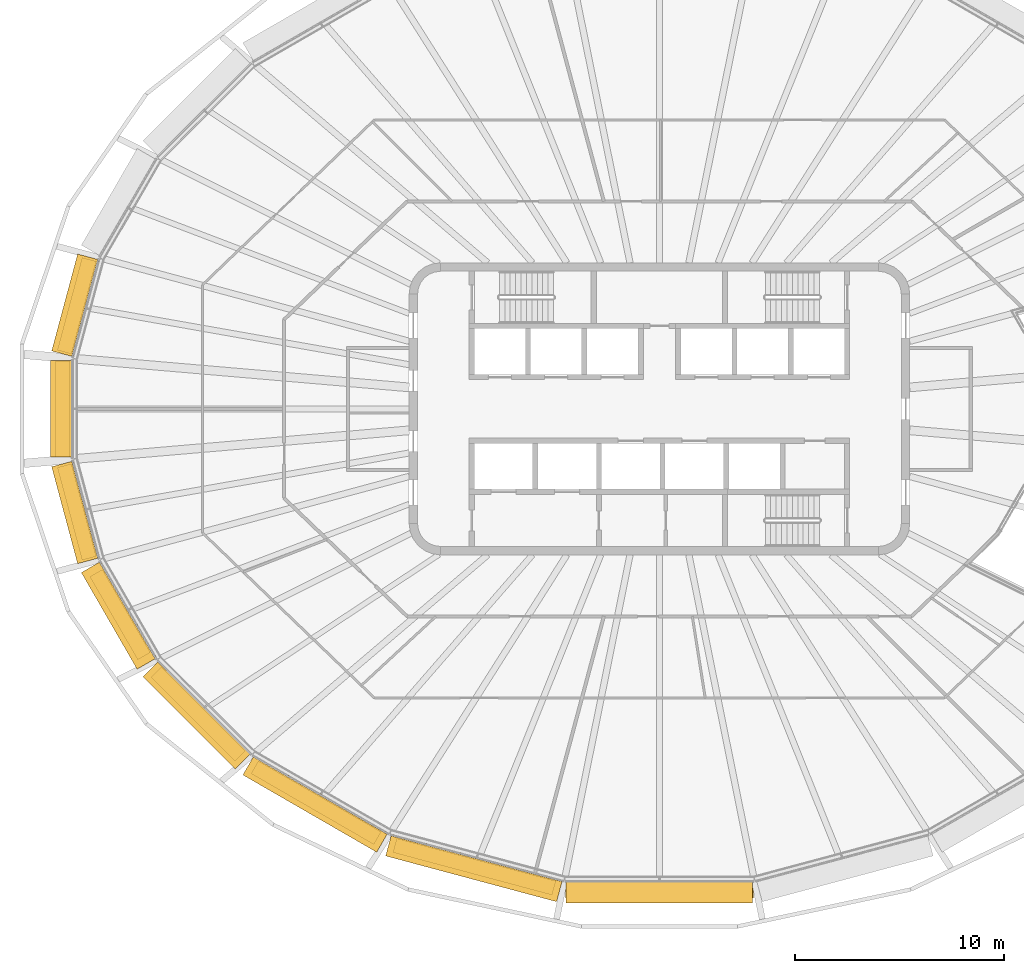
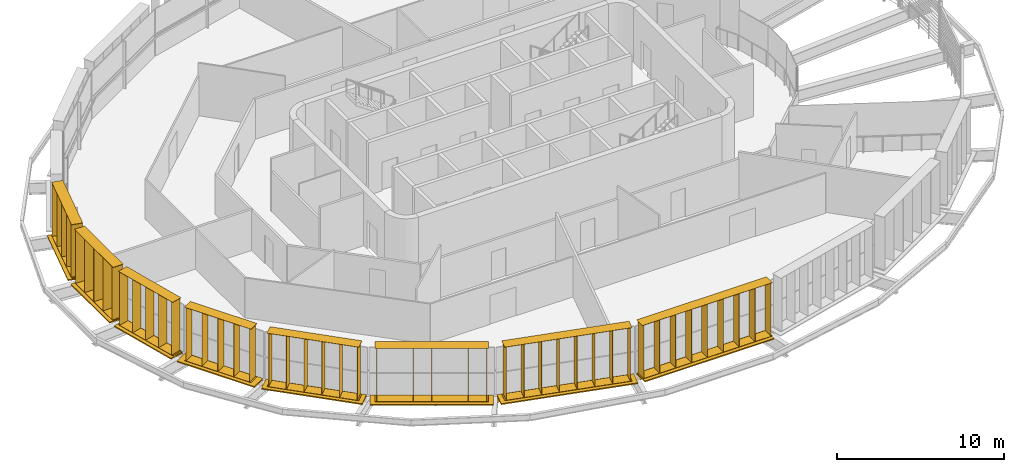
# One storey, part 13 of 17: 16 shading devices.
"""IFC4 building model written with IfcOpenShell, lengths in metres."""

from ifc_helpers import new_model, si_unit, direction, frame, origin, origin_2d, place, context, subcontext, project, spatial, rectangle, extrude, material, type_object, element, save


model = new_model("IFC4")

# Units and contexts
model_context = context("Model", 3, precision=1e-05, world=origin(), true_north=direction((0.0, 1.0)))
body_context = subcontext(model_context, "Body", "Model", "MODEL_VIEW")
ifc_project = project(units=[si_unit("LENGTHUNIT", "METRE"), si_unit("AREAUNIT", "SQUARE_METRE"), si_unit("VOLUMEUNIT", "CUBIC_METRE"), si_unit("PLANEANGLEUNIT", "RADIAN"), si_unit("MASSUNIT", "GRAM", prefix="KILO")], contexts=[model_context])

# Site, building, storey
site_placement = place(None, origin())
site = spatial("IfcSite", under=ifc_project, at=site_placement, CompositionType="ELEMENT")
building_placement = place(site_placement, origin())
building = spatial("IfcBuilding", under=site, at=building_placement, Name="Sahrelin Media Tower", CompositionType="ELEMENT")
storey_placement = place(building_placement, frame((0.0, 0.0, 291.0)))
storey = spatial("IfcBuildingStorey", under=building, at=storey_placement, Name="L64", CompositionType="ELEMENT", Elevation=291.0)

# Shading devices
ifc_material = material(Name="Champagne anodised aluminium 6063-T6", Category="aluminium")
shading_device_type_1 = type_object("IfcShadingDeviceType", Name="Fin cassette", PredefinedType="USERDEFINED", material=ifc_material)
placement_1 = place(storey_placement, frame((-27.531982421875, 4.835205078125, 0.0), z_axis=(0.0, 0.0, 1.0), x_axis=(0.258807731996, 0.965928857556, 0.0)))
element("IfcShadingDevice", 1, at=placement_1, inside=storey, type_object=shading_device_type_1, Name="L64:FIN:L64-11", ObjectType="FIN", PredefinedType="USERDEFINED", context=body_context, shape_type="SweptSolid", body=[
    extrude(rectangle(XDim=4.60009765625, YDim=0.699951171875, at=origin_2d()), frame((0.0, 0.419921875, 0.0)), (0.0, 0.0, 1.0), 0.02001953125),
    extrude(rectangle(XDim=4.60009765625, YDim=0.699951171875, at=origin_2d()), frame((0.0, 0.419921875, 3.89990234375)), (0.0, 0.0, 1.0), 0.02001953125),
    extrude(rectangle(XDim=0.02001953125, YDim=0.699951171875, at=origin_2d()), frame((-2.199951171875, 0.419921875, 0.010009765625), z_axis=(0.0, 0.0, 1.0), x_axis=(1.0, 0.0, 0.0)), (0.0, 0.0, 1.0), 3.89990234375),
    extrude(rectangle(XDim=0.02001953125, YDim=0.699951171875, at=origin_2d()), frame((-1.10009765625, 0.419921875, 0.010009765625), z_axis=(0.0, 0.0, 1.0), x_axis=(1.0, 0.0, 0.0)), (0.0, 0.0, 1.0), 3.89990234375),
    extrude(rectangle(XDim=0.02001953125, YDim=0.699951171875, at=origin_2d()), frame((0.0, 0.419921875, 0.010009765625), z_axis=(0.0, 0.0, 1.0), x_axis=(1.0, 0.0, 0.0)), (0.0, 0.0, 1.0), 3.89990234375),
    extrude(rectangle(XDim=0.02001953125, YDim=0.699951171875, at=origin_2d()), frame((1.10009765625, 0.419921875, 0.010009765625), z_axis=(0.0, 0.0, 1.0), x_axis=(1.0, 0.0, 0.0)), (0.0, 0.0, 1.0), 3.89990234375),
    extrude(rectangle(XDim=0.02001953125, YDim=0.699951171875, at=origin_2d()), frame((2.199951171875, 0.419921875, 0.010009765625), z_axis=(0.0, 0.0, 1.0), x_axis=(1.0, 0.0, 0.0)), (0.0, 0.0, 1.0), 3.89990234375),
])
placement_2 = place(storey_placement, frame((-28.18017578125, 0.0, 0.0), z_axis=(0.0, 0.0, 1.0), x_axis=(0.0, 1.0, 0.0)))
element("IfcShadingDevice", 2, at=placement_2, inside=storey, type_object=shading_device_type_1, Name="L64:FIN:L64-12", ObjectType="FIN", PredefinedType="USERDEFINED", context=body_context, shape_type="SweptSolid", body=[
    extrude(rectangle(XDim=4.60009765625, YDim=0.699951171875, at=origin_2d()), frame((0.0, 0.419921875, 0.0)), (0.0, 0.0, 1.0), 0.02001953125),
    extrude(rectangle(XDim=4.60009765625, YDim=0.699951171875, at=origin_2d()), frame((0.0, 0.419921875, 3.89990234375)), (0.0, 0.0, 1.0), 0.02001953125),
    extrude(rectangle(XDim=0.02001953125, YDim=0.699951171875, at=origin_2d()), frame((-2.199951171875, 0.419921875, 0.010009765625), z_axis=(0.0, 0.0, 1.0), x_axis=(1.0, 0.0, 0.0)), (0.0, 0.0, 1.0), 3.89990234375),
    extrude(rectangle(XDim=0.02001953125, YDim=0.699951171875, at=origin_2d()), frame((-1.10009765625, 0.419921875, 0.010009765625), z_axis=(0.0, 0.0, 1.0), x_axis=(1.0, 0.0, 0.0)), (0.0, 0.0, 1.0), 3.89990234375),
    extrude(rectangle(XDim=0.02001953125, YDim=0.699951171875, at=origin_2d()), frame((0.0, 0.419921875, 0.010009765625), z_axis=(0.0, 0.0, 1.0), x_axis=(1.0, 0.0, 0.0)), (0.0, 0.0, 1.0), 3.89990234375),
    extrude(rectangle(XDim=0.02001953125, YDim=0.699951171875, at=origin_2d()), frame((1.10009765625, 0.419921875, 0.010009765625), z_axis=(0.0, 0.0, 1.0), x_axis=(1.0, 0.0, 0.0)), (0.0, 0.0, 1.0), 3.89990234375),
    extrude(rectangle(XDim=0.02001953125, YDim=0.699951171875, at=origin_2d()), frame((2.199951171875, 0.419921875, 0.010009765625), z_axis=(0.0, 0.0, 1.0), x_axis=(1.0, 0.0, 0.0)), (0.0, 0.0, 1.0), 3.89990234375),
])
placement_3 = place(storey_placement, frame((-27.531982421875, -4.835205078125, 0.0), z_axis=(0.0, 0.0, 1.0), x_axis=(-0.258807731996, 0.965928857556, 0.0)))
element("IfcShadingDevice", 3, at=placement_3, inside=storey, type_object=shading_device_type_1, Name="L64:FIN:L64-13", ObjectType="FIN", PredefinedType="USERDEFINED", context=body_context, shape_type="SweptSolid", body=[
    extrude(rectangle(XDim=4.60009765625, YDim=0.699951171875, at=origin_2d()), frame((0.0, 0.419921875, 0.0)), (0.0, 0.0, 1.0), 0.02001953125),
    extrude(rectangle(XDim=4.60009765625, YDim=0.699951171875, at=origin_2d()), frame((0.0, 0.419921875, 3.89990234375)), (0.0, 0.0, 1.0), 0.02001953125),
    extrude(rectangle(XDim=0.02001953125, YDim=0.699951171875, at=origin_2d()), frame((-2.199951171875, 0.419921875, 0.010009765625), z_axis=(0.0, 0.0, 1.0), x_axis=(1.0, 0.0, 0.0)), (0.0, 0.0, 1.0), 3.89990234375),
    extrude(rectangle(XDim=0.02001953125, YDim=0.699951171875, at=origin_2d()), frame((-1.10009765625, 0.419921875, 0.010009765625), z_axis=(0.0, 0.0, 1.0), x_axis=(1.0, 0.0, 0.0)), (0.0, 0.0, 1.0), 3.89990234375),
    extrude(rectangle(XDim=0.02001953125, YDim=0.699951171875, at=origin_2d()), frame((0.0, 0.419921875, 0.010009765625), z_axis=(0.0, 0.0, 1.0), x_axis=(1.0, 0.0, 0.0)), (0.0, 0.0, 1.0), 3.89990234375),
    extrude(rectangle(XDim=0.02001953125, YDim=0.699951171875, at=origin_2d()), frame((1.10009765625, 0.419921875, 0.010009765625), z_axis=(0.0, 0.0, 1.0), x_axis=(1.0, 0.0, 0.0)), (0.0, 0.0, 1.0), 3.89990234375),
    extrude(rectangle(XDim=0.02001953125, YDim=0.699951171875, at=origin_2d()), frame((2.199951171875, 0.419921875, 0.010009765625), z_axis=(0.0, 0.0, 1.0), x_axis=(1.0, 0.0, 0.0)), (0.0, 0.0, 1.0), 3.89990234375),
])
placement_4 = place(storey_placement, frame((-25.496826171875, -9.656494140625, 0.0), z_axis=(0.0, 0.0, 1.0), x_axis=(-0.500011000363, 0.866019052629, 0.0)))
element("IfcShadingDevice", 4, at=placement_4, inside=storey, type_object=shading_device_type_1, Name="L64:FIN:L64-14", ObjectType="FIN", PredefinedType="USERDEFINED", context=body_context, shape_type="SweptSolid", body=[
    extrude(rectangle(XDim=4.60009765625, YDim=0.699951171875, at=origin_2d()), frame((0.0, 0.419921875, 0.0)), (0.0, 0.0, 1.0), 0.02001953125),
    extrude(rectangle(XDim=4.60009765625, YDim=0.699951171875, at=origin_2d()), frame((0.0, 0.419921875, 3.89990234375)), (0.0, 0.0, 1.0), 0.02001953125),
    extrude(rectangle(XDim=0.02001953125, YDim=0.699951171875, at=origin_2d()), frame((-2.199951171875, 0.419921875, 0.010009765625), z_axis=(0.0, 0.0, 1.0), x_axis=(1.0, 0.0, 0.0)), (0.0, 0.0, 1.0), 3.89990234375),
    extrude(rectangle(XDim=0.02001953125, YDim=0.699951171875, at=origin_2d()), frame((-1.10009765625, 0.419921875, 0.010009765625), z_axis=(0.0, 0.0, 1.0), x_axis=(1.0, 0.0, 0.0)), (0.0, 0.0, 1.0), 3.89990234375),
    extrude(rectangle(XDim=0.02001953125, YDim=0.699951171875, at=origin_2d()), frame((0.0, 0.419921875, 0.010009765625), z_axis=(0.0, 0.0, 1.0), x_axis=(1.0, 0.0, 0.0)), (0.0, 0.0, 1.0), 3.89990234375),
    extrude(rectangle(XDim=0.02001953125, YDim=0.699951171875, at=origin_2d()), frame((1.10009765625, 0.419921875, 0.010009765625), z_axis=(0.0, 0.0, 1.0), x_axis=(1.0, 0.0, 0.0)), (0.0, 0.0, 1.0), 3.89990234375),
    extrude(rectangle(XDim=0.02001953125, YDim=0.699951171875, at=origin_2d()), frame((2.199951171875, 0.419921875, 0.010009765625), z_axis=(0.0, 0.0, 1.0), x_axis=(1.0, 0.0, 0.0)), (0.0, 0.0, 1.0), 3.89990234375),
])
placement_5 = place(storey_placement, frame((-21.829345703125, -14.339111328125, 0.0), z_axis=(0.0, 0.0, 1.0), x_axis=(-0.707106781187, 0.707106781187, 0.0)))
element("IfcShadingDevice", 5, at=placement_5, inside=storey, type_object=shading_device_type_1, Name="L64:FIN:L64-15", ObjectType="FIN", PredefinedType="USERDEFINED", context=body_context, shape_type="SweptSolid", body=[
    extrude(rectangle(XDim=5.699951171875, YDim=0.699951171875, at=origin_2d()), frame((0.0, 0.419921875, 0.0)), (0.0, 0.0, 1.0), 0.02001953125),
    extrude(rectangle(XDim=5.699951171875, YDim=0.699951171875, at=origin_2d()), frame((0.0, 0.419921875, 3.89990234375)), (0.0, 0.0, 1.0), 0.02001953125),
    extrude(rectangle(XDim=0.02001953125, YDim=0.699951171875, at=origin_2d()), frame((-2.75, 0.419921875, 0.010009765625), z_axis=(0.0, 0.0, 1.0), x_axis=(1.0, 0.0, 0.0)), (0.0, 0.0, 1.0), 3.89990234375),
    extrude(rectangle(XDim=0.02001953125, YDim=0.699951171875, at=origin_2d()), frame((-1.64990234375, 0.419921875, 0.010009765625), z_axis=(0.0, 0.0, 1.0), x_axis=(1.0, 0.0, 0.0)), (0.0, 0.0, 1.0), 3.89990234375),
    extrude(rectangle(XDim=0.02001953125, YDim=0.699951171875, at=origin_2d()), frame((-0.550048828125, 0.419921875, 0.010009765625), z_axis=(0.0, 0.0, 1.0), x_axis=(1.0, 0.0, 0.0)), (0.0, 0.0, 1.0), 3.89990234375),
    extrude(rectangle(XDim=0.02001953125, YDim=0.699951171875, at=origin_2d()), frame((0.550048828125, 0.419921875, 0.010009765625), z_axis=(0.0, 0.0, 1.0), x_axis=(1.0, 0.0, 0.0)), (0.0, 0.0, 1.0), 3.89990234375),
    extrude(rectangle(XDim=0.02001953125, YDim=0.699951171875, at=origin_2d()), frame((1.64990234375, 0.419921875, 0.010009765625), z_axis=(0.0, 0.0, 1.0), x_axis=(1.0, 0.0, 0.0)), (0.0, 0.0, 1.0), 3.89990234375),
    extrude(rectangle(XDim=0.02001953125, YDim=0.699951171875, at=origin_2d()), frame((2.75, 0.419921875, 0.010009765625), z_axis=(0.0, 0.0, 1.0), x_axis=(1.0, 0.0, 0.0)), (0.0, 0.0, 1.0), 3.89990234375),
])
placement_6 = place(storey_placement, frame((-16.25341796875, -18.522216796875, 0.0), z_axis=(0.0, 0.0, 1.0), x_axis=(-0.866019052629, 0.500011000363, 0.0)))
element("IfcShadingDevice", 6, at=placement_6, inside=storey, type_object=shading_device_type_1, Name="L64:FIN:L64-16", ObjectType="FIN", PredefinedType="USERDEFINED", context=body_context, shape_type="SweptSolid", body=[
    extrude(rectangle(XDim=6.800048828125, YDim=0.699951171875, at=origin_2d()), frame((0.0, 0.419921875, 0.0)), (0.0, 0.0, 1.0), 0.02001953125),
    extrude(rectangle(XDim=6.800048828125, YDim=0.699951171875, at=origin_2d()), frame((0.0, 0.419921875, 3.89990234375)), (0.0, 0.0, 1.0), 0.02001953125),
    extrude(rectangle(XDim=0.02001953125, YDim=0.699951171875, at=origin_2d()), frame((-3.300048828125, 0.419921875, 0.010009765625), z_axis=(0.0, 0.0, 1.0), x_axis=(1.0, 0.0, 0.0)), (0.0, 0.0, 1.0), 3.89990234375),
    extrude(rectangle(XDim=0.02001953125, YDim=0.699951171875, at=origin_2d()), frame((-2.199951171875, 0.419921875, 0.010009765625), z_axis=(0.0, 0.0, 1.0), x_axis=(1.0, 0.0, 0.0)), (0.0, 0.0, 1.0), 3.89990234375),
    extrude(rectangle(XDim=0.02001953125, YDim=0.699951171875, at=origin_2d()), frame((-1.10009765625, 0.419921875, 0.010009765625), z_axis=(0.0, 0.0, 1.0), x_axis=(1.0, 0.0, 0.0)), (0.0, 0.0, 1.0), 3.89990234375),
    extrude(rectangle(XDim=0.02001953125, YDim=0.699951171875, at=origin_2d()), frame((0.0, 0.419921875, 0.010009765625), z_axis=(0.0, 0.0, 1.0), x_axis=(1.0, 0.0, 0.0)), (0.0, 0.0, 1.0), 3.89990234375),
    extrude(rectangle(XDim=0.02001953125, YDim=0.699951171875, at=origin_2d()), frame((1.10009765625, 0.419921875, 0.010009765625), z_axis=(0.0, 0.0, 1.0), x_axis=(1.0, 0.0, 0.0)), (0.0, 0.0, 1.0), 3.89990234375),
    extrude(rectangle(XDim=0.02001953125, YDim=0.699951171875, at=origin_2d()), frame((2.199951171875, 0.419921875, 0.010009765625), z_axis=(0.0, 0.0, 1.0), x_axis=(1.0, 0.0, 0.0)), (0.0, 0.0, 1.0), 3.89990234375),
    extrude(rectangle(XDim=0.02001953125, YDim=0.699951171875, at=origin_2d()), frame((3.300048828125, 0.419921875, 0.010009765625), z_axis=(0.0, 0.0, 1.0), x_axis=(1.0, 0.0, 0.0)), (0.0, 0.0, 1.0), 3.89990234375),
])
placement_7 = place(storey_placement, frame((-8.763671875, -21.548828125, 0.0), z_axis=(0.0, 0.0, 1.0), x_axis=(-0.965928857556, 0.258807731996, 0.0)))
element("IfcShadingDevice", 7, at=placement_7, inside=storey, type_object=shading_device_type_1, Name="L64:FIN:L64-17", ObjectType="FIN", PredefinedType="USERDEFINED", context=body_context, shape_type="SweptSolid", body=[
    extrude(rectangle(XDim=7.89990234375, YDim=0.699951171875, at=origin_2d()), frame((0.0, 0.419921875, 0.0)), (0.0, 0.0, 1.0), 0.02001953125),
    extrude(rectangle(XDim=7.89990234375, YDim=0.699951171875, at=origin_2d()), frame((0.0, 0.419921875, 3.89990234375)), (0.0, 0.0, 1.0), 0.02001953125),
    extrude(rectangle(XDim=0.02001953125, YDim=0.699951171875, at=origin_2d()), frame((-3.85009765625, 0.419921875, 0.010009765625), z_axis=(0.0, 0.0, 1.0), x_axis=(1.0, 0.0, 0.0)), (0.0, 0.0, 1.0), 3.89990234375),
    extrude(rectangle(XDim=0.02001953125, YDim=0.699951171875, at=origin_2d()), frame((-2.75, 0.419921875, 0.010009765625), z_axis=(0.0, 0.0, 1.0), x_axis=(1.0, 0.0, 0.0)), (0.0, 0.0, 1.0), 3.89990234375),
    extrude(rectangle(XDim=0.02001953125, YDim=0.699951171875, at=origin_2d()), frame((-1.64990234375, 0.419921875, 0.010009765625), z_axis=(0.0, 0.0, 1.0), x_axis=(1.0, 0.0, 0.0)), (0.0, 0.0, 1.0), 3.89990234375),
    extrude(rectangle(XDim=0.02001953125, YDim=0.699951171875, at=origin_2d()), frame((-0.550048828125, 0.419921875, 0.010009765625), z_axis=(0.0, 0.0, 1.0), x_axis=(1.0, 0.0, 0.0)), (0.0, 0.0, 1.0), 3.89990234375),
    extrude(rectangle(XDim=0.02001953125, YDim=0.699951171875, at=origin_2d()), frame((0.550048828125, 0.419921875, 0.010009765625), z_axis=(0.0, 0.0, 1.0), x_axis=(1.0, 0.0, 0.0)), (0.0, 0.0, 1.0), 3.89990234375),
    extrude(rectangle(XDim=0.02001953125, YDim=0.699951171875, at=origin_2d()), frame((1.64990234375, 0.419921875, 0.010009765625), z_axis=(0.0, 0.0, 1.0), x_axis=(1.0, 0.0, 0.0)), (0.0, 0.0, 1.0), 3.89990234375),
    extrude(rectangle(XDim=0.02001953125, YDim=0.699951171875, at=origin_2d()), frame((2.75, 0.419921875, 0.010009765625), z_axis=(0.0, 0.0, 1.0), x_axis=(1.0, 0.0, 0.0)), (0.0, 0.0, 1.0), 3.89990234375),
    extrude(rectangle(XDim=0.02001953125, YDim=0.699951171875, at=origin_2d()), frame((3.85009765625, 0.419921875, 0.010009765625), z_axis=(0.0, 0.0, 1.0), x_axis=(1.0, 0.0, 0.0)), (0.0, 0.0, 1.0), 3.89990234375),
])
placement_8 = place(storey_placement, frame((0.0, -22.672607421875, 0.0), z_axis=(0.0, 0.0, 1.0), x_axis=(-1.0, 0.0, 0.0)))
element("IfcShadingDevice", 8, at=placement_8, inside=storey, type_object=shading_device_type_1, Name="L64:FIN:L64-18", ObjectType="FIN", PredefinedType="USERDEFINED", context=body_context, shape_type="SweptSolid", body=[
    extrude(rectangle(XDim=9.0, YDim=0.699951171875, at=origin_2d()), frame((0.0, 0.419921875, 0.0)), (0.0, 0.0, 1.0), 0.02001953125),
    extrude(rectangle(XDim=9.0, YDim=0.699951171875, at=origin_2d()), frame((0.0, 0.419921875, 3.89990234375)), (0.0, 0.0, 1.0), 0.02001953125),
    extrude(rectangle(XDim=0.02001953125, YDim=0.699951171875, at=origin_2d()), frame((-4.39990234375, 0.419921875, 0.010009765625), z_axis=(0.0, 0.0, 1.0), x_axis=(1.0, 0.0, 0.0)), (0.0, 0.0, 1.0), 3.89990234375),
    extrude(rectangle(XDim=0.02001953125, YDim=0.699951171875, at=origin_2d()), frame((-3.300048828125, 0.419921875, 0.010009765625), z_axis=(0.0, 0.0, 1.0), x_axis=(1.0, 0.0, 0.0)), (0.0, 0.0, 1.0), 3.89990234375),
    extrude(rectangle(XDim=0.02001953125, YDim=0.699951171875, at=origin_2d()), frame((-2.199951171875, 0.419921875, 0.010009765625), z_axis=(0.0, 0.0, 1.0), x_axis=(1.0, 0.0, 0.0)), (0.0, 0.0, 1.0), 3.89990234375),
    extrude(rectangle(XDim=0.02001953125, YDim=0.699951171875, at=origin_2d()), frame((-1.10009765625, 0.419921875, 0.010009765625), z_axis=(0.0, 0.0, 1.0), x_axis=(1.0, 0.0, 0.0)), (0.0, 0.0, 1.0), 3.89990234375),
    extrude(rectangle(XDim=0.02001953125, YDim=0.699951171875, at=origin_2d()), frame((0.0, 0.419921875, 0.010009765625), z_axis=(0.0, 0.0, 1.0), x_axis=(1.0, 0.0, 0.0)), (0.0, 0.0, 1.0), 3.89990234375),
    extrude(rectangle(XDim=0.02001953125, YDim=0.699951171875, at=origin_2d()), frame((1.10009765625, 0.419921875, 0.010009765625), z_axis=(0.0, 0.0, 1.0), x_axis=(1.0, 0.0, 0.0)), (0.0, 0.0, 1.0), 3.89990234375),
    extrude(rectangle(XDim=0.02001953125, YDim=0.699951171875, at=origin_2d()), frame((2.199951171875, 0.419921875, 0.010009765625), z_axis=(0.0, 0.0, 1.0), x_axis=(1.0, 0.0, 0.0)), (0.0, 0.0, 1.0), 3.89990234375),
    extrude(rectangle(XDim=0.02001953125, YDim=0.699951171875, at=origin_2d()), frame((3.300048828125, 0.419921875, 0.010009765625), z_axis=(0.0, 0.0, 1.0), x_axis=(1.0, 0.0, 0.0)), (0.0, 0.0, 1.0), 3.89990234375),
    extrude(rectangle(XDim=0.02001953125, YDim=0.699951171875, at=origin_2d()), frame((4.39990234375, 0.419921875, 0.010009765625), z_axis=(0.0, 0.0, 1.0), x_axis=(1.0, 0.0, 0.0)), (0.0, 0.0, 1.0), 3.89990234375),
])
shading_device_type_2 = type_object("IfcShadingDeviceType", Name="Sunshade band", PredefinedType="USERDEFINED", material=ifc_material)
element("IfcShadingDevice", 9, at=placement_1, inside=storey, type_object=shading_device_type_2, Name="L64:SUN:L64-11", ObjectType="SUNSHADE", PredefinedType="USERDEFINED", context=body_context, shape_type="SweptSolid", body=[
    extrude(rectangle(XDim=4.808837890625, YDim=0.050048828125, at=origin_2d()), frame((0.0, 0.044921875, -0.55126953125)), (0.0, 0.0, 1.0), 0.471435546875),
    extrude(rectangle(XDim=4.808837890625, YDim=1.0, at=origin_2d()), frame((0.0, 0.52001953125, -0.080078125)), (0.0, 0.0, 1.0), 0.080078125),
    extrude(rectangle(XDim=0.10009765625, YDim=0.074951171875, at=origin_2d()), frame((-2.304443359375, -0.017578125, -0.47021484375)), (0.0, 0.0, 1.0), 0.300048828125),
    extrude(rectangle(XDim=0.10009765625, YDim=0.074951171875, at=origin_2d()), frame((-0.76806640625, -0.017578125, -0.47021484375)), (0.0, 0.0, 1.0), 0.300048828125),
    extrude(rectangle(XDim=0.10009765625, YDim=0.074951171875, at=origin_2d()), frame((0.76806640625, -0.017578125, -0.47021484375)), (0.0, 0.0, 1.0), 0.300048828125),
    extrude(rectangle(XDim=0.10009765625, YDim=0.074951171875, at=origin_2d()), frame((2.304443359375, -0.017578125, -0.47021484375)), (0.0, 0.0, 1.0), 0.300048828125),
])
element("IfcShadingDevice", 10, at=placement_2, inside=storey, type_object=shading_device_type_2, Name="L64:SUN:L64-12", ObjectType="SUNSHADE", PredefinedType="USERDEFINED", context=body_context, shape_type="SweptSolid", body=[
    extrude(rectangle(XDim=4.63232421875, YDim=0.050048828125, at=origin_2d()), frame((0.0, 0.044921875, -0.55126953125)), (0.0, 0.0, 1.0), 0.471435546875),
    extrude(rectangle(XDim=4.63232421875, YDim=1.0, at=origin_2d()), frame((0.0, 0.52001953125, -0.080078125)), (0.0, 0.0, 1.0), 0.080078125),
    extrude(rectangle(XDim=0.10009765625, YDim=0.074951171875, at=origin_2d()), frame((-2.21630859375, -0.017578125, -0.47021484375)), (0.0, 0.0, 1.0), 0.300048828125),
    extrude(rectangle(XDim=0.10009765625, YDim=0.074951171875, at=origin_2d()), frame((-0.73876953125, -0.017578125, -0.47021484375)), (0.0, 0.0, 1.0), 0.300048828125),
    extrude(rectangle(XDim=0.10009765625, YDim=0.074951171875, at=origin_2d()), frame((0.73876953125, -0.017578125, -0.47021484375)), (0.0, 0.0, 1.0), 0.300048828125),
    extrude(rectangle(XDim=0.10009765625, YDim=0.074951171875, at=origin_2d()), frame((2.21630859375, -0.017578125, -0.47021484375)), (0.0, 0.0, 1.0), 0.300048828125),
])
element("IfcShadingDevice", 11, at=placement_3, inside=storey, type_object=shading_device_type_2, Name="L64:SUN:L64-13", ObjectType="SUNSHADE", PredefinedType="USERDEFINED", context=body_context, shape_type="SweptSolid", body=[
    extrude(rectangle(XDim=4.808837890625, YDim=0.050048828125, at=origin_2d()), frame((0.0, 0.044921875, -0.55126953125)), (0.0, 0.0, 1.0), 0.471435546875),
    extrude(rectangle(XDim=4.808837890625, YDim=1.0, at=origin_2d()), frame((0.0, 0.52001953125, -0.080078125)), (0.0, 0.0, 1.0), 0.080078125),
    extrude(rectangle(XDim=0.10009765625, YDim=0.074951171875, at=origin_2d()), frame((-2.304443359375, -0.017578125, -0.47021484375)), (0.0, 0.0, 1.0), 0.300048828125),
    extrude(rectangle(XDim=0.10009765625, YDim=0.074951171875, at=origin_2d()), frame((-0.76806640625, -0.017578125, -0.47021484375)), (0.0, 0.0, 1.0), 0.300048828125),
    extrude(rectangle(XDim=0.10009765625, YDim=0.074951171875, at=origin_2d()), frame((0.76806640625, -0.017578125, -0.47021484375)), (0.0, 0.0, 1.0), 0.300048828125),
    extrude(rectangle(XDim=0.10009765625, YDim=0.074951171875, at=origin_2d()), frame((2.304443359375, -0.017578125, -0.47021484375)), (0.0, 0.0, 1.0), 0.300048828125),
])
element("IfcShadingDevice", 12, at=placement_4, inside=storey, type_object=shading_device_type_2, Name="L64:SUN:L64-14", ObjectType="SUNSHADE", PredefinedType="USERDEFINED", context=body_context, shape_type="SweptSolid", body=[
    extrude(rectangle(XDim=5.347900390625, YDim=0.050048828125, at=origin_2d()), frame((0.0, 0.044921875, -0.55126953125)), (0.0, 0.0, 1.0), 0.471435546875),
    extrude(rectangle(XDim=5.347900390625, YDim=1.0, at=origin_2d()), frame((0.0, 0.52001953125, -0.080078125)), (0.0, 0.0, 1.0), 0.080078125),
    extrude(rectangle(XDim=0.10009765625, YDim=0.074951171875, at=origin_2d()), frame((-2.573974609375, -0.017578125, -0.47021484375)), (0.0, 0.0, 1.0), 0.300048828125),
    extrude(rectangle(XDim=0.10009765625, YDim=0.074951171875, at=origin_2d()), frame((-0.85791015625, -0.017578125, -0.47021484375)), (0.0, 0.0, 1.0), 0.300048828125),
    extrude(rectangle(XDim=0.10009765625, YDim=0.074951171875, at=origin_2d()), frame((0.85791015625, -0.017578125, -0.47021484375)), (0.0, 0.0, 1.0), 0.300048828125),
    extrude(rectangle(XDim=0.10009765625, YDim=0.074951171875, at=origin_2d()), frame((2.573974609375, -0.017578125, -0.47021484375)), (0.0, 0.0, 1.0), 0.300048828125),
])
element("IfcShadingDevice", 13, at=placement_5, inside=storey, type_object=shading_device_type_2, Name="L64:SUN:L64-15", ObjectType="SUNSHADE", PredefinedType="USERDEFINED", context=body_context, shape_type="SweptSolid", body=[
    extrude(rectangle(XDim=6.25, YDim=0.050048828125, at=origin_2d()), frame((0.0, 0.044921875, -0.55126953125)), (0.0, 0.0, 1.0), 0.471435546875),
    extrude(rectangle(XDim=6.25, YDim=1.0, at=origin_2d()), frame((0.0, 0.52001953125, -0.080078125)), (0.0, 0.0, 1.0), 0.080078125),
    extrude(rectangle(XDim=0.10009765625, YDim=0.074951171875, at=origin_2d()), frame((-3.02490234375, -0.017578125, -0.47021484375)), (0.0, 0.0, 1.0), 0.300048828125),
    extrude(rectangle(XDim=0.10009765625, YDim=0.074951171875, at=origin_2d()), frame((-1.512451171875, -0.017578125, -0.47021484375)), (0.0, 0.0, 1.0), 0.300048828125),
    extrude(rectangle(XDim=0.10009765625, YDim=0.074951171875, at=origin_2d()), frame((0.0, -0.017578125, -0.47021484375)), (0.0, 0.0, 1.0), 0.300048828125),
    extrude(rectangle(XDim=0.10009765625, YDim=0.074951171875, at=origin_2d()), frame((1.512451171875, -0.017578125, -0.47021484375)), (0.0, 0.0, 1.0), 0.300048828125),
    extrude(rectangle(XDim=0.10009765625, YDim=0.074951171875, at=origin_2d()), frame((3.02490234375, -0.017578125, -0.47021484375)), (0.0, 0.0, 1.0), 0.300048828125),
])
element("IfcShadingDevice", 14, at=placement_6, inside=storey, type_object=shading_device_type_2, Name="L64:SUN:L64-16", ObjectType="SUNSHADE", PredefinedType="USERDEFINED", context=body_context, shape_type="SweptSolid", body=[
    extrude(rectangle(XDim=7.41064453125, YDim=0.050048828125, at=origin_2d()), frame((0.0, 0.044921875, -0.55126953125)), (0.0, 0.0, 1.0), 0.471435546875),
    extrude(rectangle(XDim=7.41064453125, YDim=1.0, at=origin_2d()), frame((0.0, 0.52001953125, -0.080078125)), (0.0, 0.0, 1.0), 0.080078125),
    extrude(rectangle(XDim=0.10009765625, YDim=0.074951171875, at=origin_2d()), frame((-3.605224609375, -0.017578125, -0.47021484375)), (0.0, 0.0, 1.0), 0.300048828125),
    extrude(rectangle(XDim=0.10009765625, YDim=0.074951171875, at=origin_2d()), frame((-1.802734375, -0.017578125, -0.47021484375)), (0.0, 0.0, 1.0), 0.300048828125),
    extrude(rectangle(XDim=0.10009765625, YDim=0.074951171875, at=origin_2d()), frame((0.0, -0.017578125, -0.47021484375)), (0.0, 0.0, 1.0), 0.300048828125),
    extrude(rectangle(XDim=0.10009765625, YDim=0.074951171875, at=origin_2d()), frame((1.802734375, -0.017578125, -0.47021484375)), (0.0, 0.0, 1.0), 0.300048828125),
    extrude(rectangle(XDim=0.10009765625, YDim=0.074951171875, at=origin_2d()), frame((3.605224609375, -0.017578125, -0.47021484375)), (0.0, 0.0, 1.0), 0.300048828125),
])
element("IfcShadingDevice", 15, at=placement_7, inside=storey, type_object=shading_device_type_2, Name="L64:SUN:L64-17", ObjectType="SUNSHADE", PredefinedType="USERDEFINED", context=body_context, shape_type="SweptSolid", body=[
    extrude(rectangle(XDim=8.48486328125, YDim=0.050048828125, at=origin_2d()), frame((0.0, 0.044921875, -0.55126953125)), (0.0, 0.0, 1.0), 0.471435546875),
    extrude(rectangle(XDim=8.48486328125, YDim=1.0, at=origin_2d()), frame((0.0, 0.52001953125, -0.080078125)), (0.0, 0.0, 1.0), 0.080078125),
    extrude(rectangle(XDim=0.10009765625, YDim=0.074951171875, at=origin_2d()), frame((-4.142333984375, -0.017578125, -0.47021484375)), (0.0, 0.0, 1.0), 0.300048828125),
    extrude(rectangle(XDim=0.10009765625, YDim=0.074951171875, at=origin_2d()), frame((-2.4853515625, -0.017578125, -0.47021484375)), (0.0, 0.0, 1.0), 0.300048828125),
    extrude(rectangle(XDim=0.10009765625, YDim=0.074951171875, at=origin_2d()), frame((-0.82861328125, -0.017578125, -0.47021484375)), (0.0, 0.0, 1.0), 0.300048828125),
    extrude(rectangle(XDim=0.10009765625, YDim=0.074951171875, at=origin_2d()), frame((0.82861328125, -0.017578125, -0.47021484375)), (0.0, 0.0, 1.0), 0.300048828125),
    extrude(rectangle(XDim=0.10009765625, YDim=0.074951171875, at=origin_2d()), frame((2.4853515625, -0.017578125, -0.47021484375)), (0.0, 0.0, 1.0), 0.300048828125),
    extrude(rectangle(XDim=0.10009765625, YDim=0.074951171875, at=origin_2d()), frame((4.142333984375, -0.017578125, -0.47021484375)), (0.0, 0.0, 1.0), 0.300048828125),
])
element("IfcShadingDevice", 16, at=placement_8, inside=storey, type_object=shading_device_type_2, Name="L64:SUN:L64-18", ObjectType="SUNSHADE", PredefinedType="USERDEFINED", context=body_context, shape_type="SweptSolid", body=[
    extrude(rectangle(XDim=8.938232421875, YDim=0.050048828125, at=origin_2d()), frame((0.0, 0.044921875, -0.55126953125)), (0.0, 0.0, 1.0), 0.471435546875),
    extrude(rectangle(XDim=8.938232421875, YDim=1.0, at=origin_2d()), frame((0.0, 0.52001953125, -0.080078125)), (0.0, 0.0, 1.0), 0.080078125),
    extrude(rectangle(XDim=0.10009765625, YDim=0.074951171875, at=origin_2d()), frame((-4.369140625, -0.017578125, -0.47021484375)), (0.0, 0.0, 1.0), 0.300048828125),
    extrude(rectangle(XDim=0.10009765625, YDim=0.074951171875, at=origin_2d()), frame((-2.62158203125, -0.017578125, -0.47021484375)), (0.0, 0.0, 1.0), 0.300048828125),
    extrude(rectangle(XDim=0.10009765625, YDim=0.074951171875, at=origin_2d()), frame((-0.873779296875, -0.017578125, -0.47021484375)), (0.0, 0.0, 1.0), 0.300048828125),
    extrude(rectangle(XDim=0.10009765625, YDim=0.074951171875, at=origin_2d()), frame((0.873779296875, -0.017578125, -0.47021484375)), (0.0, 0.0, 1.0), 0.300048828125),
    extrude(rectangle(XDim=0.10009765625, YDim=0.074951171875, at=origin_2d()), frame((2.62158203125, -0.017578125, -0.47021484375)), (0.0, 0.0, 1.0), 0.300048828125),
    extrude(rectangle(XDim=0.10009765625, YDim=0.074951171875, at=origin_2d()), frame((4.369140625, -0.017578125, -0.47021484375)), (0.0, 0.0, 1.0), 0.300048828125),
])

save(model, "model.ifc")
